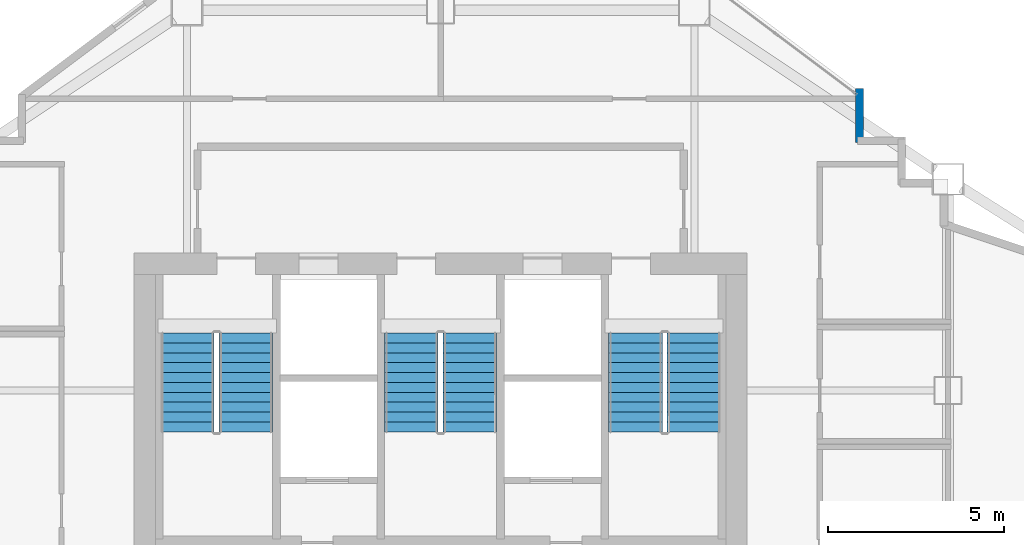
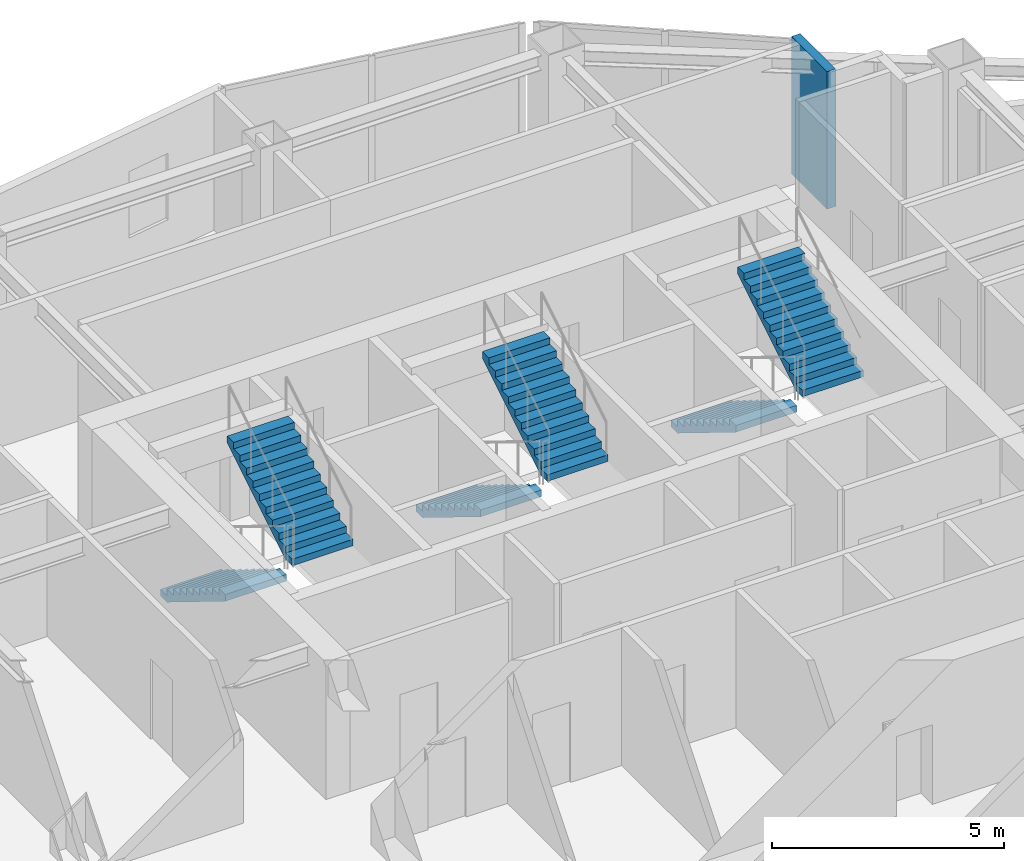
# One storey, part 9 of 10: 6 stair flights, 1 wall, 3 elements without a shape of their own.
"""IFC4 building model written with IfcOpenShell, lengths in metres."""

from ifc_helpers import new_model, si_unit, direction, frame, frame_2d, origin, place, context, subcontext, project, spatial, polyline, rectangle, outline, extrude, material, layer, layer_set, type_object, element, aggregate, save


model = new_model("IFC4")

# Units and contexts
model_context = context("Model", 3, precision=1e-05, world=origin(), true_north=direction((0.0, 1.0)))
body_context = subcontext(model_context, "Body", "Model", "MODEL_VIEW")
ifc_project = project(units=[si_unit("LENGTHUNIT", "METRE"), si_unit("AREAUNIT", "SQUARE_METRE"), si_unit("VOLUMEUNIT", "CUBIC_METRE"), si_unit("PLANEANGLEUNIT", "RADIAN"), si_unit("MASSUNIT", "GRAM", prefix="KILO")], contexts=[model_context])

# Site, building, storey
site_placement = place(None, origin())
site = spatial("IfcSite", under=ifc_project, at=site_placement, CompositionType="ELEMENT")
building_placement = place(site_placement, origin())
building = spatial("IfcBuilding", under=site, at=building_placement, Name="Haolan Belvedere Tower", CompositionType="ELEMENT")
storey_placement = place(building_placement, frame((0.0, 0.0, 180.39990234375)))
storey = spatial("IfcBuildingStorey", under=building, at=storey_placement, Name="L45", CompositionType="ELEMENT", Elevation=180.39990234375)

# Wall
ifc_material_1 = material(Name="Precast concrete C40/50", Category="concrete")
ifc_layer = layer(ifc_material_1, 0.219970703125, Name="Precast concrete C40/50")
ifc_layer_set = layer_set([ifc_layer], Name="Precast concrete C40/50")
wall_type = type_object("IfcWallType", Name="WL-EXT-220", PredefinedType="SOLIDWALL", material=ifc_layer_set)
wall_placement = place(storey_placement, frame((50.2900390625, 46.635009765625, 0.0), z_axis=(0.0, 0.0, 1.0), x_axis=(0.0, 1.0, 0.0)))
element("IfcWall", 1, at=wall_placement, inside=storey, type_object=wall_type, Name="L45 pale-metal exterior spandrel wall 19.1", PredefinedType="SOLIDWALL", context=body_context, shape_type="SweptSolid", body=[
    extrude(rectangle(XDim=1.534912109375, YDim=0.219970703125, at=frame_2d((0.767578125, 0.0))), origin(), (0.0, 0.0, 1.0), 3.6201171875),
])

# Stair, stair flights
ifc_material_2 = material(Name="Concrete C40/50", Category="concrete")
stair_type = type_object("IfcStairType", Name="STR-DL-22R-173", PredefinedType="HALF_TURN_STAIR", material=ifc_material_2)
stair_1_placement = place(storey_placement, origin())
stair_1 = element("IfcStair", 2, at=stair_1_placement, inside=storey, type_object=stair_type, Name="L45 Smokeproof Core Exit Stair ST1", PredefinedType="HALF_TURN_STAIR")
stair_flight_type = type_object("IfcStairFlightType", Name="SFL-DL-11R-173", PredefinedType="STRAIGHT", material=ifc_material_2)
stair_flight_1_placement = place(storey_placement, frame((31.2099609375, 41.22998046875, 0.0), z_axis=(0.0, 0.0, 1.0), x_axis=(0.0, -1.0, 0.0)))
stair_flight_1 = element("IfcStairFlight", 3, at=stair_flight_1_placement, type_object=stair_flight_type, Name="ST1 flight 1", NumberOfRisers=11, NumberOfTreads=10, PredefinedType="STRAIGHT", RiserHeight=0.172727273, TreadLength=0.28, context=body_context, shape_type="SweptSolid", body=[
    extrude(outline(polyline([(0.0, 0.0), (0.0, 0.172607421875), (0.280029296875, 0.172607421875), (0.280029296875, 0.345458984375), (0.56005859375, 0.345458984375), (0.56005859375, 0.51806640625), (0.840087890625, 0.51806640625), (0.840087890625, 0.69091796875), (1.1201171875, 0.69091796875), (1.1201171875, 0.863525390625), (1.39990234375, 0.863525390625), (1.39990234375, 1.036376953125), (1.679931640625, 1.036376953125), (1.679931640625, 1.208984375), (1.9599609375, 1.208984375), (1.9599609375, 1.3818359375), (2.239990234375, 1.3818359375), (2.239990234375, 1.554443359375), (2.52001953125, 1.554443359375), (2.52001953125, 1.727294921875), (2.800048828125, 1.727294921875), (2.800048828125, 1.89990234375), (2.800048828125, 1.551025390625), (0.285400390625, 0.0), (0.0, 0.0)])), frame((0.0, 0.760009765625, 0.0), z_axis=(0.0, -1.0, 0.0), x_axis=(1.0, 0.0, 0.0)), (0.0, 0.0, 1.0), 1.52001953125),
])
stair_flight_2_placement = place(storey_placement, frame((32.8701171875, 38.429931640625, 1.900146484375), z_axis=(0.0, 0.0, 1.0), x_axis=(0.0, 1.0, 0.0)))
stair_flight_2 = element("IfcStairFlight", 4, at=stair_flight_2_placement, type_object=stair_flight_type, Name="ST1 flight 2", NumberOfRisers=11, NumberOfTreads=10, PredefinedType="STRAIGHT", RiserHeight=0.172727273, TreadLength=0.28, context=body_context, shape_type="SweptSolid", body=[
    extrude(outline(polyline([(0.0, 0.0), (0.0, 0.172607421875), (0.280029296875, 0.172607421875), (0.280029296875, 0.345458984375), (0.56005859375, 0.345458984375), (0.56005859375, 0.51806640625), (0.840087890625, 0.51806640625), (0.840087890625, 0.69091796875), (1.1201171875, 0.69091796875), (1.1201171875, 0.863525390625), (1.39990234375, 0.863525390625), (1.39990234375, 1.036376953125), (1.679931640625, 1.036376953125), (1.679931640625, 1.208984375), (1.9599609375, 1.208984375), (1.9599609375, 1.3818359375), (2.239990234375, 1.3818359375), (2.239990234375, 1.554443359375), (2.52001953125, 1.554443359375), (2.52001953125, 1.727294921875), (2.800048828125, 1.727294921875), (2.800048828125, 1.89990234375), (2.800048828125, 1.551025390625), (0.285400390625, 0.0), (0.0, 0.0)])), frame((0.0, 0.760009765625, 0.0), z_axis=(0.0, -1.0, 0.0), x_axis=(1.0, 0.0, 0.0)), (0.0, 0.0, 1.0), 1.52001953125),
])
aggregate(stair_1, [stair_flight_1, stair_flight_2])

stair_2_placement = place(storey_placement, origin())
stair_2 = element("IfcStair", 5, at=stair_2_placement, inside=storey, type_object=stair_type, Name="L45 Smokeproof Core Exit Stair ST3", PredefinedType="HALF_TURN_STAIR")
stair_flight_3_placement = place(storey_placement, frame((37.570068359375, 41.22998046875, 0.0), z_axis=(0.0, 0.0, 1.0), x_axis=(0.0, -1.0, 0.0)))
stair_flight_3 = element("IfcStairFlight", 6, at=stair_flight_3_placement, type_object=stair_flight_type, Name="ST3 flight 1", NumberOfRisers=11, NumberOfTreads=10, PredefinedType="STRAIGHT", RiserHeight=0.172727273, TreadLength=0.28, context=body_context, shape_type="SweptSolid", body=[
    extrude(outline(polyline([(0.0, 0.0), (0.0, 0.172607421875), (0.280029296875, 0.172607421875), (0.280029296875, 0.345458984375), (0.56005859375, 0.345458984375), (0.56005859375, 0.51806640625), (0.840087890625, 0.51806640625), (0.840087890625, 0.69091796875), (1.1201171875, 0.69091796875), (1.1201171875, 0.863525390625), (1.39990234375, 0.863525390625), (1.39990234375, 1.036376953125), (1.679931640625, 1.036376953125), (1.679931640625, 1.208984375), (1.9599609375, 1.208984375), (1.9599609375, 1.3818359375), (2.239990234375, 1.3818359375), (2.239990234375, 1.554443359375), (2.52001953125, 1.554443359375), (2.52001953125, 1.727294921875), (2.800048828125, 1.727294921875), (2.800048828125, 1.89990234375), (2.800048828125, 1.551025390625), (0.285400390625, 0.0), (0.0, 0.0)])), frame((0.0, 0.760009765625, 0.0), z_axis=(0.0, -1.0, 0.0), x_axis=(1.0, 0.0, 0.0)), (0.0, 0.0, 1.0), 1.52001953125),
])
stair_flight_4_placement = place(storey_placement, frame((39.22998046875, 38.429931640625, 1.900146484375), z_axis=(0.0, 0.0, 1.0), x_axis=(0.0, 1.0, 0.0)))
stair_flight_4 = element("IfcStairFlight", 7, at=stair_flight_4_placement, type_object=stair_flight_type, Name="ST3 flight 2", NumberOfRisers=11, NumberOfTreads=10, PredefinedType="STRAIGHT", RiserHeight=0.172727273, TreadLength=0.28, context=body_context, shape_type="SweptSolid", body=[
    extrude(outline(polyline([(0.0, 0.0), (0.0, 0.172607421875), (0.280029296875, 0.172607421875), (0.280029296875, 0.345458984375), (0.56005859375, 0.345458984375), (0.56005859375, 0.51806640625), (0.840087890625, 0.51806640625), (0.840087890625, 0.69091796875), (1.1201171875, 0.69091796875), (1.1201171875, 0.863525390625), (1.39990234375, 0.863525390625), (1.39990234375, 1.036376953125), (1.679931640625, 1.036376953125), (1.679931640625, 1.208984375), (1.9599609375, 1.208984375), (1.9599609375, 1.3818359375), (2.239990234375, 1.3818359375), (2.239990234375, 1.554443359375), (2.52001953125, 1.554443359375), (2.52001953125, 1.727294921875), (2.800048828125, 1.727294921875), (2.800048828125, 1.89990234375), (2.800048828125, 1.551025390625), (0.285400390625, 0.0), (0.0, 0.0)])), frame((0.0, 0.760009765625, 0.0), z_axis=(0.0, -1.0, 0.0), x_axis=(1.0, 0.0, 0.0)), (0.0, 0.0, 1.0), 1.52001953125),
])
aggregate(stair_2, [stair_flight_3, stair_flight_4])

stair_3_placement = place(storey_placement, origin())
stair_3 = element("IfcStair", 8, at=stair_3_placement, inside=storey, type_object=stair_type, Name="L45 Smokeproof Core Exit Stair ST2", PredefinedType="HALF_TURN_STAIR")
stair_flight_5_placement = place(storey_placement, frame((43.929931640625, 41.22998046875, 0.0), z_axis=(0.0, 0.0, 1.0), x_axis=(0.0, -1.0, 0.0)))
stair_flight_5 = element("IfcStairFlight", 9, at=stair_flight_5_placement, type_object=stair_flight_type, Name="ST2 flight 1", NumberOfRisers=11, NumberOfTreads=10, PredefinedType="STRAIGHT", RiserHeight=0.172727273, TreadLength=0.28, context=body_context, shape_type="SweptSolid", body=[
    extrude(outline(polyline([(0.0, 0.0), (0.0, 0.172607421875), (0.280029296875, 0.172607421875), (0.280029296875, 0.345458984375), (0.56005859375, 0.345458984375), (0.56005859375, 0.51806640625), (0.840087890625, 0.51806640625), (0.840087890625, 0.69091796875), (1.1201171875, 0.69091796875), (1.1201171875, 0.863525390625), (1.39990234375, 0.863525390625), (1.39990234375, 1.036376953125), (1.679931640625, 1.036376953125), (1.679931640625, 1.208984375), (1.9599609375, 1.208984375), (1.9599609375, 1.3818359375), (2.239990234375, 1.3818359375), (2.239990234375, 1.554443359375), (2.52001953125, 1.554443359375), (2.52001953125, 1.727294921875), (2.800048828125, 1.727294921875), (2.800048828125, 1.89990234375), (2.800048828125, 1.551025390625), (0.285400390625, 0.0), (0.0, 0.0)])), frame((0.0, 0.760009765625, 0.0), z_axis=(0.0, -1.0, 0.0), x_axis=(1.0, 0.0, 0.0)), (0.0, 0.0, 1.0), 1.52001953125),
])
stair_flight_6_placement = place(storey_placement, frame((45.590087890625, 38.429931640625, 1.900146484375), z_axis=(0.0, 0.0, 1.0), x_axis=(0.0, 1.0, 0.0)))
stair_flight_6 = element("IfcStairFlight", 10, at=stair_flight_6_placement, type_object=stair_flight_type, Name="ST2 flight 2", NumberOfRisers=11, NumberOfTreads=10, PredefinedType="STRAIGHT", RiserHeight=0.172727273, TreadLength=0.28, context=body_context, shape_type="SweptSolid", body=[
    extrude(outline(polyline([(0.0, 0.0), (0.0, 0.172607421875), (0.280029296875, 0.172607421875), (0.280029296875, 0.345458984375), (0.56005859375, 0.345458984375), (0.56005859375, 0.51806640625), (0.840087890625, 0.51806640625), (0.840087890625, 0.69091796875), (1.1201171875, 0.69091796875), (1.1201171875, 0.863525390625), (1.39990234375, 0.863525390625), (1.39990234375, 1.036376953125), (1.679931640625, 1.036376953125), (1.679931640625, 1.208984375), (1.9599609375, 1.208984375), (1.9599609375, 1.3818359375), (2.239990234375, 1.3818359375), (2.239990234375, 1.554443359375), (2.52001953125, 1.554443359375), (2.52001953125, 1.727294921875), (2.800048828125, 1.727294921875), (2.800048828125, 1.89990234375), (2.800048828125, 1.551025390625), (0.285400390625, 0.0), (0.0, 0.0)])), frame((0.0, 0.760009765625, 0.0), z_axis=(0.0, -1.0, 0.0), x_axis=(1.0, 0.0, 0.0)), (0.0, 0.0, 1.0), 1.52001953125),
])
aggregate(stair_3, [stair_flight_5, stair_flight_6])

save(model, "model.ifc")
